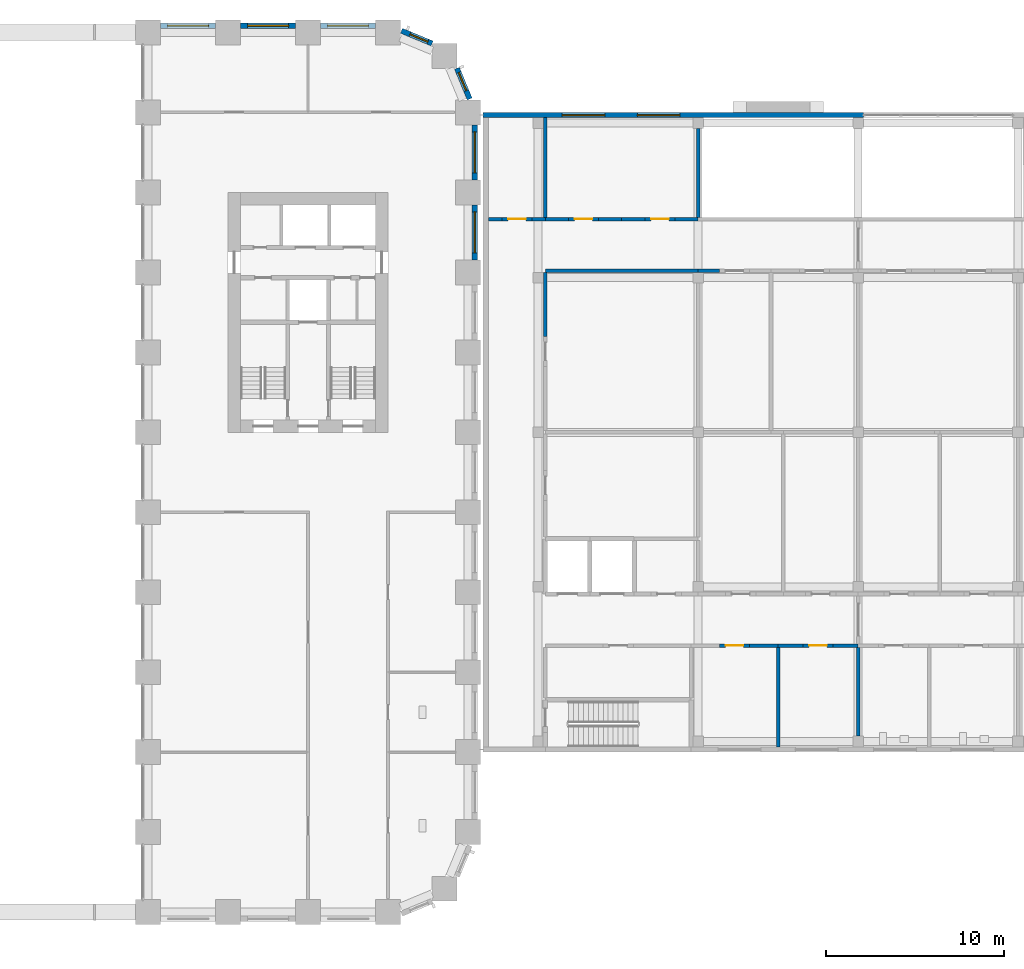
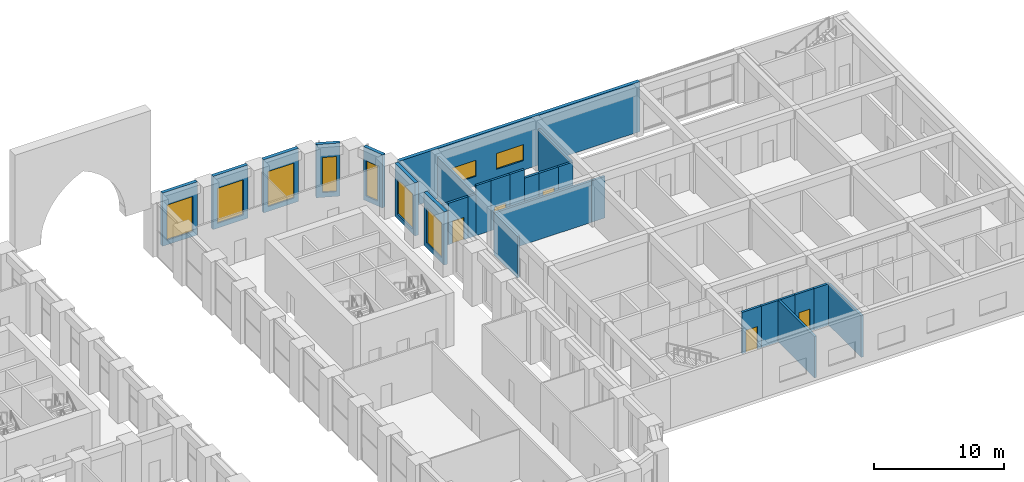
# One storey, part 15 of 25: 29 walls, 9 windows, 5 doors, 14 openings.
"""IFC4 building model written with IfcOpenShell, lengths in metres."""

from ifc_helpers import new_model, si_unit, direction, frame, frame_2d, origin, place, context, subcontext, project, spatial, rectangle, extrude, material, layer, layer_set, type_object, element, fill, save


model = new_model("IFC4")

# Units and contexts
model_context = context("Model", 3, precision=1e-05, world=origin(), true_north=direction((0.0, 1.0)))
body_context = subcontext(model_context, "Body", "Model", "MODEL_VIEW")
ifc_project = project(units=[si_unit("LENGTHUNIT", "METRE"), si_unit("AREAUNIT", "SQUARE_METRE"), si_unit("VOLUMEUNIT", "CUBIC_METRE"), si_unit("PLANEANGLEUNIT", "RADIAN"), si_unit("MASSUNIT", "GRAM", prefix="KILO")], contexts=[model_context])

# Site, building, storey
site_placement = place(None, origin())
site = spatial("IfcSite", under=ifc_project, at=site_placement, CompositionType="ELEMENT")
building_placement = place(site_placement, origin())
building = spatial("IfcBuilding", under=site, at=building_placement, Name="Girih Gate Residences", CompositionType="ELEMENT")
storey_placement = place(building_placement, frame((0.0, 0.0, 6.0)))
storey = spatial("IfcBuildingStorey", under=building, at=storey_placement, Name="L01", CompositionType="ELEMENT", Elevation=6.0)

# Wall, opening, door
ifc_material_1 = material(Name="Fire-rated gypsum partition")
ifc_layer_1 = layer(ifc_material_1, 0.199951171875)
ifc_layer_set_1 = layer_set([ifc_layer_1], Name="HC Corridor wall 200 EI 60")
wall_type_1 = type_object("IfcWallType", Name="HC Corridor wall 200 EI 60", PredefinedType="PARTITIONING", material=ifc_layer_set_1)
wall_1_placement = place(storey_placement, frame((65.35009765625, 15.0, 0.0), z_axis=(0.0, 0.0, 1.0), x_axis=(-1.0, 0.0, 0.0)))
wall_1 = element("IfcWall", 1, at=wall_1_placement, inside=storey, type_object=wall_type_1, Name="L01 wall x15.00/63.6", PredefinedType="PARTITIONING", context=body_context, shape_type="SweptSolid", body=[
    extrude(rectangle(XDim=1.7001953125, YDim=0.199951171875, at=frame_2d((0.85009765625, 0.0))), origin(), (0.0, 0.0, 1.0), 3.89990234375),
])
opening_1_placement = place(wall_1_placement, frame((0.35009765625, 0.0, 0.0)))
opening_1 = element("IfcOpeningElement", 2, at=opening_1_placement, cuts=wall_1, Name="Opening HC-L01-D08", PredefinedType="OPENING", context=body_context, shape_type="SweptSolid", body=[
    extrude(rectangle(XDim=1.0, YDim=2.10009765625, at=frame_2d((0.5, 1.050048828125))), frame((0.0, 0.10986328125, 0.0), z_axis=(0.0, -1.0, 0.0), x_axis=(1.0, 0.0, 0.0)), (0.0, 0.0, 1.0), 0.219970703125),
])
ifc_material_2 = material(Name="Timber door set", Category="wood")
door_type = type_object("IfcDoorType", Name="HC Door 1000x2100 FD30S", OperationType="NOTDEFINED", PredefinedType="DOOR", material=ifc_material_2)
door_1_placement = place(opening_1_placement, origin())
door_1 = element("IfcDoor", 3, at=door_1_placement, inside=storey, type_object=door_type, Name="L01 Ultrasound room 1 door", OperationType="SINGLE_SWING_LEFT", OverallHeight=2.10009765625, OverallWidth=1.0, PredefinedType="DOOR", context=body_context, shape_type="SweptSolid", body=[
    extrude(rectangle(XDim=1.0, YDim=2.10009765625, at=frame_2d((0.5, 1.050048828125))), frame((0.0, 0.02490234375, 0.0), z_axis=(0.0, -1.0, 0.0), x_axis=(1.0, 0.0, 0.0)), (0.0, 0.0, 1.0), 0.050048828125),
])
fill(opening_1, door_1)

# Walls
wall_2_placement = place(storey_placement, frame((65.35009765625, 15.0, 0.0), z_axis=(0.0, 0.0, 1.0), x_axis=(1.0, 0.0, 0.0)))
element("IfcWall", 4, at=wall_2_placement, inside=storey, type_object=wall_type_1, Name="L01 wall x15.00/65.3", PredefinedType="PARTITIONING", context=body_context, shape_type="SweptSolid", body=[
    extrude(rectangle(XDim=1.599853515625, YDim=0.199951171875, at=frame_2d((0.7998046875, 0.0))), origin(), (0.0, 0.0, 1.0), 3.89990234375),
])
wall_3_placement = place(storey_placement, frame((66.949951171875, 15.0, 0.0), z_axis=(0.0, 0.0, 1.0), x_axis=(1.0, 0.0, 0.0)))
element("IfcWall", 5, at=wall_3_placement, inside=storey, type_object=wall_type_1, Name="L01 wall x15.00/67.0", PredefinedType="PARTITIONING", context=body_context, shape_type="SweptSolid", body=[
    extrude(rectangle(XDim=1.400146484375, YDim=0.199951171875, at=frame_2d((0.7001953125, 0.0))), origin(), (0.0, 0.0, 1.0), 3.89990234375),
])

# Wall, opening, door
wall_4_placement = place(storey_placement, frame((70.050048828125, 15.0, 0.0), z_axis=(0.0, 0.0, 1.0), x_axis=(-1.0, 0.0, 0.0)))
wall_4 = element("IfcWall", 6, at=wall_4_placement, inside=storey, type_object=wall_type_1, Name="L01 wall x15.00/68.4", PredefinedType="PARTITIONING", context=body_context, shape_type="SweptSolid", body=[
    extrude(rectangle(XDim=1.699951171875, YDim=0.199951171875, at=frame_2d((0.85009765625, 0.0))), origin(), (0.0, 0.0, 1.0), 3.89990234375),
])
opening_2_placement = place(wall_4_placement, frame((0.35009765625, 0.0, 0.0)))
opening_2 = element("IfcOpeningElement", 7, at=opening_2_placement, cuts=wall_4, Name="Opening HC-L01-D09", PredefinedType="OPENING", context=body_context, shape_type="SweptSolid", body=[
    extrude(rectangle(XDim=1.0, YDim=2.10009765625, at=frame_2d((0.5, 1.050048828125))), frame((0.0, 0.10986328125, 0.0), z_axis=(0.0, -1.0, 0.0), x_axis=(1.0, 0.0, 0.0)), (0.0, 0.0, 1.0), 0.219970703125),
])
door_2_placement = place(opening_2_placement, origin())
door_2 = element("IfcDoor", 8, at=door_2_placement, inside=storey, type_object=door_type, Name="L01 ECG room door", OperationType="SINGLE_SWING_RIGHT", OverallHeight=2.10009765625, OverallWidth=1.0, PredefinedType="DOOR", context=body_context, shape_type="SweptSolid", body=[
    extrude(rectangle(XDim=1.0, YDim=2.10009765625, at=frame_2d((0.5, 1.050048828125))), frame((0.0, 0.02490234375, 0.0), z_axis=(0.0, -1.0, 0.0), x_axis=(1.0, 0.0, 0.0)), (0.0, 0.0, 1.0), 0.050048828125),
])
fill(opening_2, door_2)

# Walls
wall_5_placement = place(storey_placement, frame((70.050048828125, 15.0, 0.0), z_axis=(0.0, 0.0, 1.0), x_axis=(1.0, 0.0, 0.0)))
element("IfcWall", 9, at=wall_5_placement, inside=storey, type_object=wall_type_1, Name="L01 wall x15.00/70.0", PredefinedType="PARTITIONING", context=body_context, shape_type="SweptSolid", body=[
    extrude(rectangle(XDim=1.39990234375, YDim=0.199951171875, at=frame_2d((0.699951171875, 0.0))), origin(), (0.0, 0.0, 1.0), 3.89990234375),
])
wall_6_placement = place(storey_placement, frame((53.85009765625, 36.10009765625, 0.0), z_axis=(0.0, 0.0, 1.0), x_axis=(1.0, 0.0, 0.0)))
element("IfcWall", 10, at=wall_6_placement, inside=storey, type_object=wall_type_1, Name="L01 wall x36.10/53.9", PredefinedType="PARTITIONING", context=body_context, shape_type="SweptSolid", body=[
    extrude(rectangle(XDim=8.599853515625, YDim=0.199951171875, at=frame_2d((4.2998046875, 0.0))), origin(), (0.0, 0.0, 1.0), 3.89990234375),
])
wall_7_placement = place(storey_placement, frame((62.449951171875, 36.10009765625, 0.0), z_axis=(0.0, 0.0, 1.0), x_axis=(1.0, 0.0, 0.0)))
element("IfcWall", 11, at=wall_7_placement, inside=storey, type_object=wall_type_1, Name="L01 wall x36.10/62.5", PredefinedType="PARTITIONING", context=body_context, shape_type="SweptSolid", body=[
    extrude(rectangle(XDim=1.199951171875, YDim=0.199951171875, at=frame_2d((0.60009765625, 0.0))), origin(), (0.0, 0.0, 1.0), 3.89990234375),
])
wall_8_placement = place(storey_placement, frame((50.64990234375, 39.0, 0.0), z_axis=(0.0, 0.0, 1.0), x_axis=(1.0, 0.0, 0.0)))
element("IfcWall", 12, at=wall_8_placement, inside=storey, type_object=wall_type_1, Name="L01 wall x39.00/50.6", PredefinedType="PARTITIONING", context=body_context, shape_type="SweptSolid", body=[
    extrude(rectangle(XDim=0.75, YDim=0.199951171875, at=frame_2d((0.375, 0.0))), origin(), (0.0, 0.0, 1.0), 3.89990234375),
])

# Wall, opening, door
wall_9_placement = place(storey_placement, frame((51.39990234375, 39.0, 0.0), z_axis=(0.0, 0.0, 1.0), x_axis=(1.0, 0.0, 0.0)))
wall_9 = element("IfcWall", 13, at=wall_9_placement, inside=storey, type_object=wall_type_1, Name="L01 wall x39.00/51.4", PredefinedType="PARTITIONING", context=body_context, shape_type="SweptSolid", body=[
    extrude(rectangle(XDim=1.7001953125, YDim=0.199951171875, at=frame_2d((0.85009765625, 0.0))), origin(), (0.0, 0.0, 1.0), 3.89990234375),
])
opening_3_placement = place(wall_9_placement, frame((0.35009765625, 0.0, 0.0)))
opening_3 = element("IfcOpeningElement", 14, at=opening_3_placement, cuts=wall_9, Name="Opening HC-L01-D27", PredefinedType="OPENING", context=body_context, shape_type="SweptSolid", body=[
    extrude(rectangle(XDim=1.0, YDim=2.10009765625, at=frame_2d((0.5, 1.050048828125))), frame((0.0, 0.10986328125, 0.0), z_axis=(0.0, -1.0, 0.0), x_axis=(1.0, 0.0, 0.0)), (0.0, 0.0, 1.0), 0.219970703125),
])
door_3_placement = place(opening_3_placement, origin())
door_3 = element("IfcDoor", 15, at=door_3_placement, inside=storey, type_object=door_type, Name="L01 Staff room door", OperationType="SINGLE_SWING_LEFT", OverallHeight=2.10009765625, OverallWidth=1.0, PredefinedType="DOOR", context=body_context, shape_type="SweptSolid", body=[
    extrude(rectangle(XDim=1.0, YDim=2.10009765625, at=frame_2d((0.5, 1.050048828125))), frame((0.0, 0.02490234375, 0.0), z_axis=(0.0, -1.0, 0.0), x_axis=(1.0, 0.0, 0.0)), (0.0, 0.0, 1.0), 0.050048828125),
])
fill(opening_3, door_3)

# Walls
wall_10_placement = place(storey_placement, frame((53.10009765625, 39.0, 0.0), z_axis=(0.0, 0.0, 1.0), x_axis=(1.0, 0.0, 0.0)))
element("IfcWall", 16, at=wall_10_placement, inside=storey, type_object=wall_type_1, Name="L01 wall x39.00/53.1", PredefinedType="PARTITIONING", context=body_context, shape_type="SweptSolid", body=[
    extrude(rectangle(XDim=0.75, YDim=0.199951171875, at=frame_2d((0.375, 0.0))), origin(), (0.0, 0.0, 1.0), 3.89990234375),
])
wall_11_placement = place(storey_placement, frame((53.85009765625, 39.0, 0.0), z_axis=(0.0, 0.0, 1.0), x_axis=(1.0, 0.0, 0.0)))
element("IfcWall", 17, at=wall_11_placement, inside=storey, type_object=wall_type_1, Name="L01 wall x39.00/53.9", PredefinedType="PARTITIONING", context=body_context, shape_type="SweptSolid", body=[
    extrude(rectangle(XDim=1.2998046875, YDim=0.199951171875, at=frame_2d((0.64990234375, 0.0))), origin(), (0.0, 0.0, 1.0), 4.699951171875),
])

# Wall, opening, door
wall_12_placement = place(storey_placement, frame((55.14990234375, 39.0, 0.0), z_axis=(0.0, 0.0, 1.0), x_axis=(1.0, 0.0, 0.0)))
wall_12 = element("IfcWall", 18, at=wall_12_placement, inside=storey, type_object=wall_type_1, Name="L01 wall x39.00/55.1", PredefinedType="PARTITIONING", context=body_context, shape_type="SweptSolid", body=[
    extrude(rectangle(XDim=1.7001953125, YDim=0.199951171875, at=frame_2d((0.85009765625, 0.0))), origin(), (0.0, 0.0, 1.0), 4.699951171875),
])
opening_4_placement = place(wall_12_placement, frame((0.35009765625, 0.0, 0.0)))
opening_4 = element("IfcOpeningElement", 19, at=opening_4_placement, cuts=wall_12, Name="Opening HC-L01-D28", PredefinedType="OPENING", context=body_context, shape_type="SweptSolid", body=[
    extrude(rectangle(XDim=1.0, YDim=2.10009765625, at=frame_2d((0.5, 1.050048828125))), frame((0.0, 0.10986328125, 0.0), z_axis=(0.0, -1.0, 0.0), x_axis=(1.0, 0.0, 0.0)), (0.0, 0.0, 1.0), 0.219970703125),
])
door_4_placement = place(opening_4_placement, origin())
door_4 = element("IfcDoor", 20, at=door_4_placement, inside=storey, type_object=door_type, Name="L01 Consulting room 3 door", OperationType="SINGLE_SWING_RIGHT", OverallHeight=2.10009765625, OverallWidth=1.0, PredefinedType="DOOR", context=body_context, shape_type="SweptSolid", body=[
    extrude(rectangle(XDim=1.0, YDim=2.10009765625, at=frame_2d((0.5, 1.050048828125))), frame((0.0, 0.02490234375, 0.0), z_axis=(0.0, -1.0, 0.0), x_axis=(1.0, 0.0, 0.0)), (0.0, 0.0, 1.0), 0.050048828125),
])
fill(opening_4, door_4)

# Walls
wall_13_placement = place(storey_placement, frame((56.85009765625, 39.0, 0.0), z_axis=(0.0, 0.0, 1.0), x_axis=(1.0, 0.0, 0.0)))
element("IfcWall", 21, at=wall_13_placement, inside=storey, type_object=wall_type_1, Name="L01 wall x39.00/56.9", PredefinedType="PARTITIONING", context=body_context, shape_type="SweptSolid", body=[
    extrude(rectangle(XDim=1.2998046875, YDim=0.199951171875, at=frame_2d((0.64990234375, 0.0))), origin(), (0.0, 0.0, 1.0), 4.699951171875),
])
wall_14_placement = place(storey_placement, frame((58.14990234375, 39.0, 0.0), z_axis=(0.0, 0.0, 1.0), x_axis=(1.0, 0.0, 0.0)))
element("IfcWall", 22, at=wall_14_placement, inside=storey, type_object=wall_type_1, Name="L01 wall x39.00/58.1", PredefinedType="PARTITIONING", context=body_context, shape_type="SweptSolid", body=[
    extrude(rectangle(XDim=1.300048828125, YDim=0.199951171875, at=frame_2d((0.64990234375, 0.0))), origin(), (0.0, 0.0, 1.0), 3.89990234375),
])

# Wall, opening, door
wall_15_placement = place(storey_placement, frame((59.449951171875, 39.0, 0.0), z_axis=(0.0, 0.0, 1.0), x_axis=(1.0, 0.0, 0.0)))
wall_15 = element("IfcWall", 23, at=wall_15_placement, inside=storey, type_object=wall_type_1, Name="L01 wall x39.00/59.4", PredefinedType="PARTITIONING", context=body_context, shape_type="SweptSolid", body=[
    extrude(rectangle(XDim=1.699951171875, YDim=0.199951171875, at=frame_2d((0.85009765625, 0.0))), origin(), (0.0, 0.0, 1.0), 3.89990234375),
])
opening_5_placement = place(wall_15_placement, frame((0.35009765625, 0.0, 0.0)))
opening_5 = element("IfcOpeningElement", 24, at=opening_5_placement, cuts=wall_15, Name="Opening HC-L01-D29", PredefinedType="OPENING", context=body_context, shape_type="SweptSolid", body=[
    extrude(rectangle(XDim=1.0, YDim=2.10009765625, at=frame_2d((0.5, 1.050048828125))), frame((0.0, 0.10986328125, 0.0), z_axis=(0.0, -1.0, 0.0), x_axis=(1.0, 0.0, 0.0)), (0.0, 0.0, 1.0), 0.219970703125),
])
door_5_placement = place(opening_5_placement, origin())
door_5 = element("IfcDoor", 25, at=door_5_placement, inside=storey, type_object=door_type, Name="L01 Consulting room 4 door", OperationType="SINGLE_SWING_LEFT", OverallHeight=2.10009765625, OverallWidth=1.0, PredefinedType="DOOR", context=body_context, shape_type="SweptSolid", body=[
    extrude(rectangle(XDim=1.0, YDim=2.10009765625, at=frame_2d((0.5, 1.050048828125))), frame((0.0, 0.02490234375, 0.0), z_axis=(0.0, -1.0, 0.0), x_axis=(1.0, 0.0, 0.0)), (0.0, 0.0, 1.0), 0.050048828125),
])
fill(opening_5, door_5)

# Walls
wall_16_placement = place(storey_placement, frame((61.14990234375, 39.0, 0.0), z_axis=(0.0, 0.0, 1.0), x_axis=(1.0, 0.0, 0.0)))
element("IfcWall", 26, at=wall_16_placement, inside=storey, type_object=wall_type_1, Name="L01 wall x39.00/61.1", PredefinedType="PARTITIONING", context=body_context, shape_type="SweptSolid", body=[
    extrude(rectangle(XDim=1.300048828125, YDim=0.199951171875, at=frame_2d((0.64990234375, 0.0))), origin(), (0.0, 0.0, 1.0), 3.89990234375),
])
wall_17_placement = place(storey_placement, frame((53.85009765625, 32.39990234375, 0.0), z_axis=(0.0, 0.0, 1.0), x_axis=(0.0, 1.0, 0.0)))
element("IfcWall", 27, at=wall_17_placement, inside=storey, type_object=wall_type_1, Name="L01 wall y53.85/32.4", PredefinedType="PARTITIONING", context=body_context, shape_type="SweptSolid", body=[
    extrude(rectangle(XDim=3.60009765625, YDim=0.199951171875, at=frame_2d((1.800048828125, 0.0))), origin(), (0.0, 0.0, 1.0), 3.89990234375),
])

# Wall, openings, windows
ifc_material_3 = material(Name="Precast concrete C40/50", Category="concrete")
ifc_layer_2 = layer(ifc_material_3, 0.300048828125)
ifc_layer_set_2 = layer_set([ifc_layer_2], Name="HC Facade wall 300")
wall_type_2 = type_object("IfcWallType", Name="HC Facade wall 300", PredefinedType="SOLIDWALL", material=ifc_layer_set_2)
wall_18_placement = place(storey_placement, frame((50.35009765625, 44.85009765625, 0.0), z_axis=(0.0, 0.0, 1.0), x_axis=(1.0, 0.0, 0.0)))
wall_18 = element("IfcWall", 28, at=wall_18_placement, inside=storey, type_object=wall_type_2, Name="L01 north facade wall west", PredefinedType="SOLIDWALL", context=body_context, shape_type="SweptSolid", body=[
    extrude(rectangle(XDim=21.39990234375, YDim=0.300048828125, at=frame_2d((10.699951171875, 0.0))), origin(), (0.0, 0.0, 1.0), 4.699951171875),
])
opening_6_placement = place(wall_18_placement, frame((4.449951171875, 0.0, 0.89990234375)))
opening_6 = element("IfcOpeningElement", 29, at=opening_6_placement, cuts=wall_18, Name="Opening HC-W-L01-N01", PredefinedType="OPENING", context=body_context, shape_type="SweptSolid", body=[
    extrude(rectangle(XDim=2.39990234375, YDim=1.5, at=frame_2d((1.199951171875, 0.75))), frame((0.0, 0.159912109375, 0.0), z_axis=(0.0, -1.0, 0.0), x_axis=(1.0, 0.0, 0.0)), (0.0, 0.0, 1.0), 0.320068359375),
])
opening_7_placement = place(wall_18_placement, frame((8.675048828125, 0.0, 0.89990234375)))
opening_7 = element("IfcOpeningElement", 30, at=opening_7_placement, cuts=wall_18, Name="Opening HC-W-L01-N02", PredefinedType="OPENING", context=body_context, shape_type="SweptSolid", body=[
    extrude(rectangle(XDim=2.39990234375, YDim=1.5, at=frame_2d((1.199951171875, 0.75))), frame((0.0, 0.159912109375, 0.0), z_axis=(0.0, -1.0, 0.0), x_axis=(1.0, 0.0, 0.0)), (0.0, 0.0, 1.0), 0.320068359375),
])
ifc_material_4 = material(Name="Aluminium framed glazing", Category="aluminium")
window_type_1 = type_object("IfcWindowType", Name="HC Window W-4 2400x1500", PartitioningType="DOUBLE_PANEL_VERTICAL", PredefinedType="WINDOW", material=ifc_material_4)
window_1_placement = place(opening_6_placement, origin())
window_1 = element("IfcWindow", 31, at=window_1_placement, inside=storey, type_object=window_type_1, Name="L01 north window 1", OverallHeight=1.5, OverallWidth=2.39990234375, PartitioningType="DOUBLE_PANEL_VERTICAL", PredefinedType="WINDOW", context=body_context, shape_type="SweptSolid", body=[
    extrude(rectangle(XDim=2.39990234375, YDim=1.5, at=frame_2d((1.199951171875, 0.75))), frame((0.0, 0.030029296875, 0.0), z_axis=(0.0, -1.0, 0.0), x_axis=(1.0, 0.0, 0.0)), (0.0, 0.0, 1.0), 0.06005859375),
])
fill(opening_6, window_1)
window_2_placement = place(opening_7_placement, origin())
window_2 = element("IfcWindow", 32, at=window_2_placement, inside=storey, type_object=window_type_1, Name="L01 north window 2", OverallHeight=1.5, OverallWidth=2.39990234375, PartitioningType="DOUBLE_PANEL_VERTICAL", PredefinedType="WINDOW", context=body_context, shape_type="SweptSolid", body=[
    extrude(rectangle(XDim=2.39990234375, YDim=1.5, at=frame_2d((1.199951171875, 0.75))), frame((0.0, 0.030029296875, 0.0), z_axis=(0.0, -1.0, 0.0), x_axis=(1.0, 0.0, 0.0)), (0.0, 0.0, 1.0), 0.06005859375),
])
fill(opening_7, window_2)

# Walls
ifc_material_5 = material(Name="Gypsum partition")
ifc_layer_3 = layer(ifc_material_5, 0.199951171875)
ifc_layer_set_3 = layer_set([ifc_layer_3], Name="HC Room partition 200 EI 30")
wall_type_3 = type_object("IfcWallType", Name="HC Room partition 200 EI 30", PredefinedType="PARTITIONING", material=ifc_layer_set_3)
wall_19_placement = place(storey_placement, frame((53.85009765625, 39.10009765625, 0.0), z_axis=(0.0, 0.0, 1.0), x_axis=(0.0, 1.0, 0.0)))
element("IfcWall", 33, at=wall_19_placement, inside=storey, type_object=wall_type_3, Name="L01 wall y53.85/39.1", PredefinedType="PARTITIONING", context=body_context, shape_type="SweptSolid", body=[
    extrude(rectangle(XDim=5.599853515625, YDim=0.199951171875, at=frame_2d((2.7998046875, 0.0))), origin(), (0.0, 0.0, 1.0), 3.89990234375),
])
wall_20_placement = place(storey_placement, frame((62.449951171875, 39.10009765625, 0.0), z_axis=(0.0, 0.0, 1.0), x_axis=(0.0, 1.0, 0.0)))
element("IfcWall", 34, at=wall_20_placement, inside=storey, type_object=wall_type_3, Name="L01 wall y62.45/39.1", PredefinedType="PARTITIONING", context=body_context, shape_type="SweptSolid", body=[
    extrude(rectangle(XDim=5.0, YDim=0.199951171875, at=frame_2d((2.5, 0.0))), origin(), (0.0, 0.0, 1.0), 3.89990234375),
])
wall_21_placement = place(storey_placement, frame((66.949951171875, 9.300048828125, 0.0), z_axis=(0.0, 0.0, 1.0), x_axis=(0.0, 1.0, 0.0)))
element("IfcWall", 35, at=wall_21_placement, inside=storey, type_object=wall_type_3, Name="L01 wall y66.95/9.3", PredefinedType="PARTITIONING", context=body_context, shape_type="SweptSolid", body=[
    extrude(rectangle(XDim=5.599853515625, YDim=0.199951171875, at=frame_2d((2.7998046875, 0.0))), origin(), (0.0, 0.0, 1.0), 3.89990234375),
])
wall_22_placement = place(storey_placement, frame((71.449951171875, 9.89990234375, 0.0), z_axis=(0.0, 0.0, 1.0), x_axis=(0.0, 1.0, 0.0)))
element("IfcWall", 36, at=wall_22_placement, inside=storey, type_object=wall_type_3, Name="L01 wall y71.45/9.9", PredefinedType="PARTITIONING", context=body_context, shape_type="SweptSolid", body=[
    extrude(rectangle(XDim=5.0, YDim=0.199951171875, at=frame_2d((2.5, 0.0))), origin(), (0.0, 0.0, 1.0), 3.89990234375),
])

# Wall, opening, window
ifc_material_6 = material(Name="Precast concrete C50/60", Category="concrete")
ifc_layer_4 = layer(ifc_material_6, 0.080078125, Name="Outer leaf")
ifc_material_7 = material(Name="Rigid PIR insulation")
ifc_layer_5 = layer(ifc_material_7, 0.14990234375, Name="Insulation")
ifc_layer_6 = layer(ifc_material_3, 0.070068359375, Name="Inner leaf")
ifc_layer_set_4 = layer_set([ifc_layer_4, ifc_layer_5, ifc_layer_6], Name="Precast concrete C50/60 external wall 300")
wall_type_4 = type_object("IfcWallType", Name="Precast concrete C50/60 external wall 300", PredefinedType="SOLIDWALL", material=ifc_layer_set_4)
wall_23_placement = place(storey_placement, frame((49.875, 39.800048828125, 0.0), z_axis=(0.0, 0.0, 1.0), x_axis=(0.0, -1.0, 0.0)))
wall_23 = element("IfcWall", 37, at=wall_23_placement, inside=storey, type_object=wall_type_4, Name="External wall E0495_0045.7", PredefinedType="SOLIDWALL", context=body_context, shape_type="SweptSolid", body=[
    extrude(rectangle(XDim=3.10009765625, YDim=0.300048828125, at=frame_2d((1.550048828125, 0.0))), origin(), (0.0, 0.0, 1.0), 5.0),
])
opening_8_placement = place(wall_23_placement, frame((0.39990234375, 0.0, 0.449951171875)))
opening_8 = element("IfcOpeningElement", 38, at=opening_8_placement, cuts=wall_23, Name="Opening W-3", PredefinedType="OPENING", context=body_context, shape_type="SweptSolid", body=[
    extrude(rectangle(XDim=2.300048828125, YDim=3.300048828125, at=frame_2d((1.14990234375, 1.64990234375))), frame((0.0, 0.159912109375, 0.0), z_axis=(0.0, -1.0, 0.0), x_axis=(1.0, 0.0, 0.0)), (0.0, 0.0, 1.0), 0.320068359375),
])
ifc_material_8 = material(Name="Double glazing in aluminium frame", Category="aluminium")
window_type_2 = type_object("IfcWindowType", Name="Window W-3 2300x3300", PartitioningType="SINGLE_PANEL", PredefinedType="WINDOW", material=ifc_material_8)
window_3_placement = place(opening_8_placement, origin())
window_3 = element("IfcWindow", 39, at=window_3_placement, inside=storey, type_object=window_type_2, Name="Window W-3 E0495_0045.7", OverallHeight=3.300048828125, OverallWidth=2.300048828125, PartitioningType="SINGLE_PANEL", PredefinedType="WINDOW", context=body_context, shape_type="SweptSolid", body=[
    extrude(rectangle(XDim=2.300048828125, YDim=3.300048828125, at=frame_2d((1.14990234375, 1.64990234375))), frame((0.0, 0.030029296875, 0.0), z_axis=(0.0, -1.0, 0.0), x_axis=(1.0, 0.0, 0.0)), (0.0, 0.0, 1.0), 0.06005859375),
])
fill(opening_8, window_3)

wall_24_placement = place(storey_placement, frame((49.875, 44.300048828125, 0.0), z_axis=(0.0, 0.0, 1.0), x_axis=(0.0, -1.0, 0.0)))
wall_24 = element("IfcWall", 40, at=wall_24_placement, inside=storey, type_object=wall_type_4, Name="External wall E0495_0045.8", PredefinedType="SOLIDWALL", context=body_context, shape_type="SweptSolid", body=[
    extrude(rectangle(XDim=3.10009765625, YDim=0.300048828125, at=frame_2d((1.550048828125, 0.0))), origin(), (0.0, 0.0, 1.0), 5.0),
])
opening_9_placement = place(wall_24_placement, frame((0.39990234375, 0.0, 0.449951171875)))
opening_9 = element("IfcOpeningElement", 41, at=opening_9_placement, cuts=wall_24, Name="Opening W-3", PredefinedType="OPENING", context=body_context, shape_type="SweptSolid", body=[
    extrude(rectangle(XDim=2.300048828125, YDim=3.300048828125, at=frame_2d((1.14990234375, 1.64990234375))), frame((0.0, 0.159912109375, 0.0), z_axis=(0.0, -1.0, 0.0), x_axis=(1.0, 0.0, 0.0)), (0.0, 0.0, 1.0), 0.320068359375),
])
window_4_placement = place(opening_9_placement, origin())
window_4 = element("IfcWindow", 42, at=window_4_placement, inside=storey, type_object=window_type_2, Name="Window W-3 E0495_0045.8", OverallHeight=3.300048828125, OverallWidth=2.300048828125, PartitioningType="SINGLE_PANEL", PredefinedType="WINDOW", context=body_context, shape_type="SweptSolid", body=[
    extrude(rectangle(XDim=2.300048828125, YDim=3.300048828125, at=frame_2d((1.14990234375, 1.64990234375))), frame((0.0, 0.030029296875, 0.0), z_axis=(0.0, -1.0, 0.0), x_axis=(1.0, 0.0, 0.0)), (0.0, 0.0, 1.0), 0.06005859375),
])
fill(opening_9, window_4)

wall_25_placement = place(storey_placement, frame((48.87841796875, 47.48046875, 0.0), z_axis=(0.0, 0.0, 1.0), x_axis=(0.38262540684, -0.923903565336, 0.0)))
wall_25 = element("IfcWall", 43, at=wall_25_placement, inside=storey, type_object=wall_type_4, Name="External wall NE0495_0450.0", PredefinedType="SOLIDWALL", context=body_context, shape_type="SweptSolid", body=[
    extrude(rectangle(XDim=1.864990234375, YDim=0.300048828125, at=frame_2d((0.9326171875, 0.0))), origin(), (0.0, 0.0, 1.0), 5.0),
])
opening_10_placement = place(wall_25_placement, frame((0.257568359375, 0.0, 0.449951171875)))
opening_10 = element("IfcOpeningElement", 44, at=opening_10_placement, cuts=wall_25, Name="Opening W-2A", PredefinedType="OPENING", context=body_context, shape_type="SweptSolid", body=[
    extrude(rectangle(XDim=1.10009765625, YDim=3.300048828125, at=frame_2d((0.550048828125, 1.64990234375))), frame((0.0, 0.159912109375, 0.0), z_axis=(0.0, -1.0, 0.0), x_axis=(1.0, 0.0, 0.0)), (0.0, 0.0, 1.0), 0.320068359375),
])
window_type_3 = type_object("IfcWindowType", Name="Window W-2A 1100x3300", PartitioningType="SINGLE_PANEL", PredefinedType="WINDOW", material=ifc_material_8)
window_5_placement = place(opening_10_placement, origin())
window_5 = element("IfcWindow", 45, at=window_5_placement, inside=storey, type_object=window_type_3, Name="Window W-2A NE0495_0450.0", OverallHeight=3.300048828125, OverallWidth=1.10009765625, PartitioningType="SINGLE_PANEL", PredefinedType="WINDOW", context=body_context, shape_type="SweptSolid", body=[
    extrude(rectangle(XDim=1.10009765625, YDim=3.300048828125, at=frame_2d((0.550048828125, 1.64990234375))), frame((0.0, 0.030029296875, 0.0), z_axis=(0.0, -1.0, 0.0), x_axis=(1.0, 0.0, 0.0)), (0.0, 0.0, 1.0), 0.06005859375),
])
fill(opening_10, window_5)

wall_26_placement = place(storey_placement, frame((45.75732421875, 49.59228515625, 0.0), z_axis=(0.0, 0.0, 1.0), x_axis=(0.923857286003, -0.382737135771, 0.0)))
wall_26 = element("IfcWall", 46, at=wall_26_placement, inside=storey, type_object=wall_type_4, Name="External wall NE0482_0482.0", PredefinedType="SOLIDWALL", context=body_context, shape_type="SweptSolid", body=[
    extrude(rectangle(XDim=1.865234375, YDim=0.300048828125, at=frame_2d((0.9326171875, 0.0))), origin(), (0.0, 0.0, 1.0), 5.0),
])
opening_11_placement = place(wall_26_placement, frame((0.507568359375, 0.0, 0.449951171875)))
opening_11 = element("IfcOpeningElement", 47, at=opening_11_placement, cuts=wall_26, Name="Opening W-2A", PredefinedType="OPENING", context=body_context, shape_type="SweptSolid", body=[
    extrude(rectangle(XDim=1.10009765625, YDim=3.300048828125, at=frame_2d((0.550048828125, 1.64990234375))), frame((0.0, 0.159912109375, 0.0), z_axis=(0.0, -1.0, 0.0), x_axis=(1.0, 0.0, 0.0)), (0.0, 0.0, 1.0), 0.320068359375),
])
window_6_placement = place(opening_11_placement, origin())
window_6 = element("IfcWindow", 48, at=window_6_placement, inside=storey, type_object=window_type_3, Name="Window W-2A NE0482_0482.0", OverallHeight=3.300048828125, OverallWidth=1.10009765625, PartitioningType="SINGLE_PANEL", PredefinedType="WINDOW", context=body_context, shape_type="SweptSolid", body=[
    extrude(rectangle(XDim=1.10009765625, YDim=3.300048828125, at=frame_2d((0.550048828125, 1.64990234375))), frame((0.0, 0.030029296875, 0.0), z_axis=(0.0, -1.0, 0.0), x_axis=(1.0, 0.0, 0.0)), (0.0, 0.0, 1.0), 0.06005859375),
])
fill(opening_11, window_6)

wall_27_placement = place(storey_placement, frame((41.199951171875, 49.875, 0.0), z_axis=(0.0, 0.0, 1.0), x_axis=(1.0, 0.0, 0.0)))
wall_27 = element("IfcWall", 49, at=wall_27_placement, inside=storey, type_object=wall_type_4, Name="External wall N0450_0495.0", PredefinedType="SOLIDWALL", context=body_context, shape_type="SweptSolid", body=[
    extrude(rectangle(XDim=3.10009765625, YDim=0.300048828125, at=frame_2d((1.550048828125, 0.0))), origin(), (0.0, 0.0, 1.0), 5.0),
])
opening_12_placement = place(wall_27_placement, frame((0.39990234375, 0.0, 0.449951171875)))
opening_12 = element("IfcOpeningElement", 50, at=opening_12_placement, cuts=wall_27, Name="Opening W-3", PredefinedType="OPENING", context=body_context, shape_type="SweptSolid", body=[
    extrude(rectangle(XDim=2.300048828125, YDim=3.300048828125, at=frame_2d((1.14990234375, 1.64990234375))), frame((0.0, 0.159912109375, 0.0), z_axis=(0.0, -1.0, 0.0), x_axis=(1.0, 0.0, 0.0)), (0.0, 0.0, 1.0), 0.320068359375),
])
window_7_placement = place(opening_12_placement, origin())
window_7 = element("IfcWindow", 51, at=window_7_placement, inside=storey, type_object=window_type_2, Name="Window W-3 N0450_0495.0", OverallHeight=3.300048828125, OverallWidth=2.300048828125, PartitioningType="SINGLE_PANEL", PredefinedType="WINDOW", context=body_context, shape_type="SweptSolid", body=[
    extrude(rectangle(XDim=2.300048828125, YDim=3.300048828125, at=frame_2d((1.14990234375, 1.64990234375))), frame((0.0, 0.030029296875, 0.0), z_axis=(0.0, -1.0, 0.0), x_axis=(1.0, 0.0, 0.0)), (0.0, 0.0, 1.0), 0.06005859375),
])
fill(opening_12, window_7)

wall_28_placement = place(storey_placement, frame((36.699951171875, 49.875, 0.0), z_axis=(0.0, 0.0, 1.0), x_axis=(1.0, 0.0, 0.0)))
wall_28 = element("IfcWall", 52, at=wall_28_placement, inside=storey, type_object=wall_type_4, Name="External wall N0450_0495.1", PredefinedType="SOLIDWALL", context=body_context, shape_type="SweptSolid", body=[
    extrude(rectangle(XDim=3.10009765625, YDim=0.300048828125, at=frame_2d((1.550048828125, 0.0))), origin(), (0.0, 0.0, 1.0), 5.0),
])
opening_13_placement = place(wall_28_placement, frame((0.39990234375, 0.0, 0.449951171875)))
opening_13 = element("IfcOpeningElement", 53, at=opening_13_placement, cuts=wall_28, Name="Opening W-3", PredefinedType="OPENING", context=body_context, shape_type="SweptSolid", body=[
    extrude(rectangle(XDim=2.300048828125, YDim=3.300048828125, at=frame_2d((1.14990234375, 1.64990234375))), frame((0.0, 0.159912109375, 0.0), z_axis=(0.0, -1.0, 0.0), x_axis=(1.0, 0.0, 0.0)), (0.0, 0.0, 1.0), 0.320068359375),
])
window_8_placement = place(opening_13_placement, origin())
window_8 = element("IfcWindow", 54, at=window_8_placement, inside=storey, type_object=window_type_2, Name="Window W-3 N0450_0495.1", OverallHeight=3.300048828125, OverallWidth=2.300048828125, PartitioningType="SINGLE_PANEL", PredefinedType="WINDOW", context=body_context, shape_type="SweptSolid", body=[
    extrude(rectangle(XDim=2.300048828125, YDim=3.300048828125, at=frame_2d((1.14990234375, 1.64990234375))), frame((0.0, 0.030029296875, 0.0), z_axis=(0.0, -1.0, 0.0), x_axis=(1.0, 0.0, 0.0)), (0.0, 0.0, 1.0), 0.06005859375),
])
fill(opening_13, window_8)

wall_29_placement = place(storey_placement, frame((32.199951171875, 49.875, 0.0), z_axis=(0.0, 0.0, 1.0), x_axis=(1.0, 0.0, 0.0)))
wall_29 = element("IfcWall", 55, at=wall_29_placement, inside=storey, type_object=wall_type_4, Name="External wall N0450_0495.2", PredefinedType="SOLIDWALL", context=body_context, shape_type="SweptSolid", body=[
    extrude(rectangle(XDim=3.10009765625, YDim=0.300048828125, at=frame_2d((1.550048828125, 0.0))), origin(), (0.0, 0.0, 1.0), 5.0),
])
opening_14_placement = place(wall_29_placement, frame((0.39990234375, 0.0, 0.449951171875)))
opening_14 = element("IfcOpeningElement", 56, at=opening_14_placement, cuts=wall_29, Name="Opening W-3", PredefinedType="OPENING", context=body_context, shape_type="SweptSolid", body=[
    extrude(rectangle(XDim=2.300048828125, YDim=3.300048828125, at=frame_2d((1.14990234375, 1.64990234375))), frame((0.0, 0.159912109375, 0.0), z_axis=(0.0, -1.0, 0.0), x_axis=(1.0, 0.0, 0.0)), (0.0, 0.0, 1.0), 0.320068359375),
])
window_9_placement = place(opening_14_placement, origin())
window_9 = element("IfcWindow", 57, at=window_9_placement, inside=storey, type_object=window_type_2, Name="Window W-3 N0450_0495.2", OverallHeight=3.300048828125, OverallWidth=2.300048828125, PartitioningType="SINGLE_PANEL", PredefinedType="WINDOW", context=body_context, shape_type="SweptSolid", body=[
    extrude(rectangle(XDim=2.300048828125, YDim=3.300048828125, at=frame_2d((1.14990234375, 1.64990234375))), frame((0.0, 0.030029296875, 0.0), z_axis=(0.0, -1.0, 0.0), x_axis=(1.0, 0.0, 0.0)), (0.0, 0.0, 1.0), 0.06005859375),
])
fill(opening_14, window_9)

save(model, "model.ifc")
